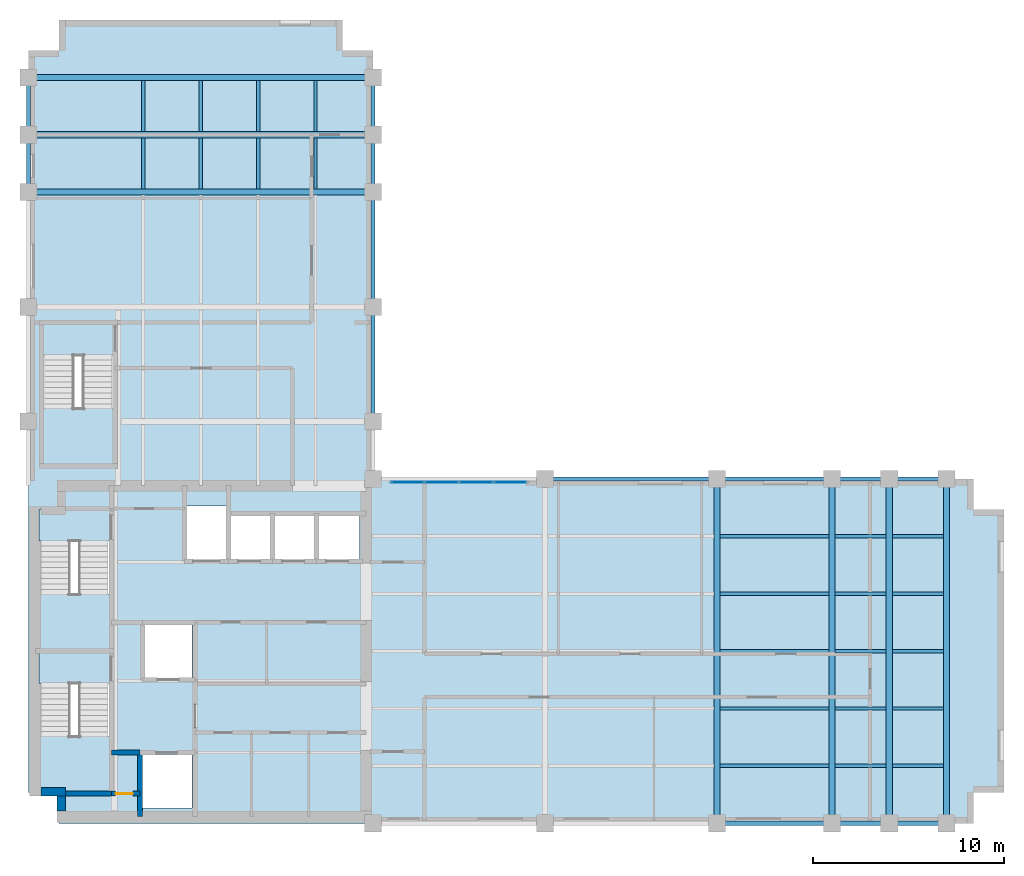
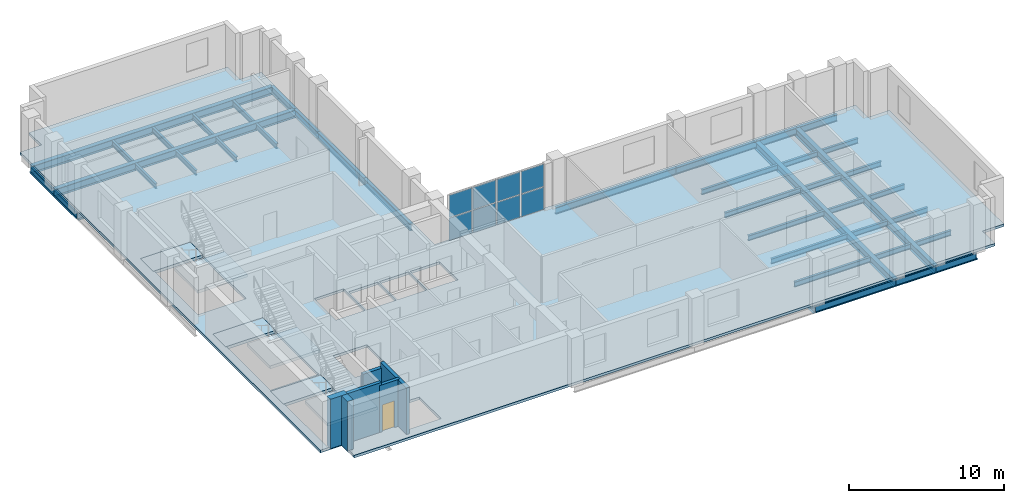
# One storey, part 3 of 7: 43 beams, 8 plates, 7 slabs, 6 walls, 1 door, 1 opening, 4 elements without a shape of their own.
"""IFC4 building model written with IfcOpenShell, lengths in metres."""

from ifc_helpers import new_model, si_unit, direction, frame, frame_2d, origin, origin_2d, place, context, subcontext, project, spatial, polyline, rectangle, i_section, outline, extrude, material, layer, layer_set, material_profile, profile_set, type_object, element, fill, aggregate, save


model = new_model("IFC4")

# Units and contexts
model_context = context("Model", 3, precision=1e-05, world=origin(), true_north=direction((0.0, 1.0)))
body_context = subcontext(model_context, "Body", "Model", "MODEL_VIEW")
ifc_project = project(units=[si_unit("LENGTHUNIT", "METRE"), si_unit("AREAUNIT", "SQUARE_METRE"), si_unit("VOLUMEUNIT", "CUBIC_METRE"), si_unit("PLANEANGLEUNIT", "RADIAN"), si_unit("MASSUNIT", "GRAM", prefix="KILO")], contexts=[model_context])

# Site, building, storey
site_placement = place(None, origin())
site = spatial("IfcSite", under=ifc_project, at=site_placement, CompositionType="ELEMENT")
building_placement = place(site_placement, origin())
building = spatial("IfcBuilding", under=site, at=building_placement, Name="Mawjdan Bourse Tower", CompositionType="ELEMENT")
storey_placement = place(building_placement, frame((0.0, 0.0, 172.199951171875)))
storey = spatial("IfcBuildingStorey", under=building, at=storey_placement, Name="L41", CompositionType="ELEMENT", Elevation=172.199951171875)

# Beams
ifc_material_1 = material(Name="Structural Steel S355", Category="steel")
ifc_material_profile_1 = material_profile(ifc_material_1, i_section(OverallWidth=0.324951171875, OverallDepth=0.616943359375, WebThickness=0.013916015625, FlangeThickness=0.021484375, FilletRadius=0.017333984375, at=origin_2d()), Name="W24X117")
ifc_profile_set_1 = profile_set([ifc_material_profile_1], Name="Structural Steel S355")
beam_type_1 = type_object("IfcBeamType", Name="GRD-W24X117", PredefinedType="BEAM", material=ifc_profile_set_1)
for number, where, z_axis, x_axis, name in (
    (1, (42.0, 3.0, -0.508544921875), (0.0, 1.0, 0.0), (-1.0, 0.0, 0.0), "L41 East Wing Clear-Span Girder 003"),
    (2, (48.0, 3.0, -0.508544921875), (0.0, 1.0, 0.0), (-1.0, 0.0, 0.0), "L41 East Wing Clear-Span Girder 004"),
    (3, (51.0, 3.0, -0.508544921875), (0.0, 1.0, 0.0), (-1.0, 0.0, 0.0), "L41 East Wing Clear-Span Girder 005"),
    (4, (54.0, 3.0, -0.508544921875), (0.0, 1.0, 0.0), (-1.0, 0.0, 0.0), "L41 East Wing Clear-Span Girder 006"),
    (5, (6.0, 36.0, -0.508544921875), (1.0, 0.0, 0.0), (0.0, 1.0, 0.0), "L41 North Wing Clear-Span Girder 049"),
    (6, (6.0, 39.0, -0.508544921875), (1.0, 0.0, 0.0), (0.0, 1.0, 0.0), "L41 North Wing Clear-Span Girder 050"),
    (7, (6.0, 42.0, -0.508544921875), (1.0, 0.0, 0.0), (0.0, 1.0, 0.0), "L41 North Wing Clear-Span Girder 051"),
):
    element("IfcBeam", number, at=place(storey_placement, frame(where, z_axis=z_axis, x_axis=x_axis)), inside=storey, type_object=beam_type_1, Name=name, PredefinedType="BEAM", context=body_context, shape_type="SweptSolid", body=[
        extrude(i_section(OverallWidth=0.324951171875, OverallDepth=0.616943359375, WebThickness=0.013916015625, FlangeThickness=0.021484375, FilletRadius=0.017333984375, at=origin_2d()), origin(), (0.0, 0.0, 1.0), 18.0),
    ])
ifc_material_profile_2 = material_profile(ifc_material_1, i_section(OverallWidth=0.177978515625, OverallDepth=0.406982421875, WebThickness=0.0078125, FlangeThickness=0.0126953125, FilletRadius=0.01025390625, at=origin_2d()), Name="W16X40")
ifc_profile_set_2 = profile_set([ifc_material_profile_2], Name="Structural Steel S355")
beam_type_2 = type_object("IfcBeamType", Name="JST-W16X40", PredefinedType="JOIST", material=ifc_profile_set_2)
beam_1_placement = place(storey_placement, frame((42.160400390625, 6.0, -0.403564453125), z_axis=(1.0, 0.0, 0.0), x_axis=(0.0, 1.0, 0.0)))
element("IfcBeam", 8, at=beam_1_placement, inside=storey, type_object=beam_type_2, Name="L41 East Wing Composite Joist 019", PredefinedType="JOIST", context=body_context, shape_type="SweptSolid", body=[
    extrude(i_section(OverallWidth=0.177978515625, OverallDepth=0.406982421875, WebThickness=0.0078125, FlangeThickness=0.0126953125, FilletRadius=0.01025390625, at=origin_2d()), origin(), (0.0, 0.0, 1.0), 5.67919921875),
])
for number, where, z_axis, x_axis, name in (
    (9, (48.160400390625, 6.0, -0.403564453125), (1.0, 0.0, 0.0), (0.0, 1.0, 0.0), "L41 East Wing Composite Joist 020"),
    (10, (51.160400390625, 6.0, -0.403564453125), (1.0, 0.0, 0.0), (0.0, 1.0, 0.0), "L41 East Wing Composite Joist 021"),
):
    element("IfcBeam", number, at=place(storey_placement, frame(where, z_axis=z_axis, x_axis=x_axis)), inside=storey, type_object=beam_type_2, Name=name, PredefinedType="JOIST", context=body_context, shape_type="SweptSolid", body=[
        extrude(i_section(OverallWidth=0.177978515625, OverallDepth=0.406982421875, WebThickness=0.0078125, FlangeThickness=0.0126953125, FilletRadius=0.01025390625, at=origin_2d()), origin(), (0.0, 0.0, 1.0), 2.67919921875),
    ])
beam_2_placement = place(storey_placement, frame((42.160400390625, 9.0, -0.403564453125), z_axis=(1.0, 0.0, 0.0), x_axis=(0.0, 1.0, 0.0)))
element("IfcBeam", 11, at=beam_2_placement, inside=storey, type_object=beam_type_2, Name="L41 East Wing Composite Joist 024", PredefinedType="JOIST", context=body_context, shape_type="SweptSolid", body=[
    extrude(i_section(OverallWidth=0.177978515625, OverallDepth=0.406982421875, WebThickness=0.0078125, FlangeThickness=0.0126953125, FilletRadius=0.01025390625, at=origin_2d()), origin(), (0.0, 0.0, 1.0), 5.67919921875),
])
for number, where, z_axis, x_axis, name in (
    (12, (48.160400390625, 9.0, -0.403564453125), (1.0, 0.0, 0.0), (0.0, 1.0, 0.0), "L41 East Wing Composite Joist 025"),
    (13, (51.160400390625, 9.0, -0.403564453125), (1.0, 0.0, 0.0), (0.0, 1.0, 0.0), "L41 East Wing Composite Joist 026"),
):
    element("IfcBeam", number, at=place(storey_placement, frame(where, z_axis=z_axis, x_axis=x_axis)), inside=storey, type_object=beam_type_2, Name=name, PredefinedType="JOIST", context=body_context, shape_type="SweptSolid", body=[
        extrude(i_section(OverallWidth=0.177978515625, OverallDepth=0.406982421875, WebThickness=0.0078125, FlangeThickness=0.0126953125, FilletRadius=0.01025390625, at=origin_2d()), origin(), (0.0, 0.0, 1.0), 2.67919921875),
    ])
beam_3_placement = place(storey_placement, frame((42.160400390625, 12.0, -0.403564453125), z_axis=(1.0, 0.0, 0.0), x_axis=(0.0, 1.0, 0.0)))
element("IfcBeam", 14, at=beam_3_placement, inside=storey, type_object=beam_type_2, Name="L41 East Wing Composite Joist 029", PredefinedType="JOIST", context=body_context, shape_type="SweptSolid", body=[
    extrude(i_section(OverallWidth=0.177978515625, OverallDepth=0.406982421875, WebThickness=0.0078125, FlangeThickness=0.0126953125, FilletRadius=0.01025390625, at=origin_2d()), origin(), (0.0, 0.0, 1.0), 5.67919921875),
])
for number, where, z_axis, x_axis, name in (
    (15, (48.160400390625, 12.0, -0.403564453125), (1.0, 0.0, 0.0), (0.0, 1.0, 0.0), "L41 East Wing Composite Joist 030"),
    (16, (51.160400390625, 12.0, -0.403564453125), (1.0, 0.0, 0.0), (0.0, 1.0, 0.0), "L41 East Wing Composite Joist 031"),
):
    element("IfcBeam", number, at=place(storey_placement, frame(where, z_axis=z_axis, x_axis=x_axis)), inside=storey, type_object=beam_type_2, Name=name, PredefinedType="JOIST", context=body_context, shape_type="SweptSolid", body=[
        extrude(i_section(OverallWidth=0.177978515625, OverallDepth=0.406982421875, WebThickness=0.0078125, FlangeThickness=0.0126953125, FilletRadius=0.01025390625, at=origin_2d()), origin(), (0.0, 0.0, 1.0), 2.67919921875),
    ])
beam_4_placement = place(storey_placement, frame((42.160400390625, 15.0, -0.403564453125), z_axis=(1.0, 0.0, 0.0), x_axis=(0.0, 1.0, 0.0)))
element("IfcBeam", 17, at=beam_4_placement, inside=storey, type_object=beam_type_2, Name="L41 East Wing Composite Joist 034", PredefinedType="JOIST", context=body_context, shape_type="SweptSolid", body=[
    extrude(i_section(OverallWidth=0.177978515625, OverallDepth=0.406982421875, WebThickness=0.0078125, FlangeThickness=0.0126953125, FilletRadius=0.01025390625, at=origin_2d()), origin(), (0.0, 0.0, 1.0), 5.67919921875),
])
for number, where, z_axis, x_axis, name in (
    (18, (48.160400390625, 15.0, -0.403564453125), (1.0, 0.0, 0.0), (0.0, 1.0, 0.0), "L41 East Wing Composite Joist 035"),
    (19, (51.160400390625, 15.0, -0.403564453125), (1.0, 0.0, 0.0), (0.0, 1.0, 0.0), "L41 East Wing Composite Joist 036"),
):
    element("IfcBeam", number, at=place(storey_placement, frame(where, z_axis=z_axis, x_axis=x_axis)), inside=storey, type_object=beam_type_2, Name=name, PredefinedType="JOIST", context=body_context, shape_type="SweptSolid", body=[
        extrude(i_section(OverallWidth=0.177978515625, OverallDepth=0.406982421875, WebThickness=0.0078125, FlangeThickness=0.0126953125, FilletRadius=0.01025390625, at=origin_2d()), origin(), (0.0, 0.0, 1.0), 2.67919921875),
    ])
beam_5_placement = place(storey_placement, frame((42.160400390625, 18.0, -0.403564453125), z_axis=(1.0, 0.0, 0.0), x_axis=(0.0, 1.0, 0.0)))
element("IfcBeam", 20, at=beam_5_placement, inside=storey, type_object=beam_type_2, Name="L41 East Wing Composite Joist 039", PredefinedType="JOIST", context=body_context, shape_type="SweptSolid", body=[
    extrude(i_section(OverallWidth=0.177978515625, OverallDepth=0.406982421875, WebThickness=0.0078125, FlangeThickness=0.0126953125, FilletRadius=0.01025390625, at=origin_2d()), origin(), (0.0, 0.0, 1.0), 5.67919921875),
])
for number, where, z_axis, x_axis, name in (
    (21, (48.160400390625, 18.0, -0.403564453125), (1.0, 0.0, 0.0), (0.0, 1.0, 0.0), "L41 East Wing Composite Joist 040"),
    (22, (51.160400390625, 18.0, -0.403564453125), (1.0, 0.0, 0.0), (0.0, 1.0, 0.0), "L41 East Wing Composite Joist 041"),
    (23, (12.0, 36.160400390625, -0.403564453125), (0.0, 1.0, 0.0), (-1.0, 0.0, 0.0), "L41 North Wing Composite Joist 065"),
    (24, (12.0, 39.160400390625, -0.403564453125), (0.0, 1.0, 0.0), (-1.0, 0.0, 0.0), "L41 North Wing Composite Joist 066"),
    (25, (15.0, 36.160400390625, -0.403564453125), (0.0, 1.0, 0.0), (-1.0, 0.0, 0.0), "L41 North Wing Composite Joist 070"),
    (26, (15.0, 39.160400390625, -0.403564453125), (0.0, 1.0, 0.0), (-1.0, 0.0, 0.0), "L41 North Wing Composite Joist 071"),
    (27, (18.0, 36.160400390625, -0.403564453125), (0.0, 1.0, 0.0), (-1.0, 0.0, 0.0), "L41 North Wing Composite Joist 075"),
    (28, (18.0, 39.160400390625, -0.403564453125), (0.0, 1.0, 0.0), (-1.0, 0.0, 0.0), "L41 North Wing Composite Joist 076"),
    (29, (21.0, 36.160400390625, -0.403564453125), (0.0, 1.0, 0.0), (-1.0, 0.0, 0.0), "L41 North Wing Composite Joist 080"),
    (30, (21.0, 39.160400390625, -0.403564453125), (0.0, 1.0, 0.0), (-1.0, 0.0, 0.0), "L41 North Wing Composite Joist 081"),
):
    element("IfcBeam", number, at=place(storey_placement, frame(where, z_axis=z_axis, x_axis=x_axis)), inside=storey, type_object=beam_type_2, Name=name, PredefinedType="JOIST", context=body_context, shape_type="SweptSolid", body=[
        extrude(i_section(OverallWidth=0.177978515625, OverallDepth=0.406982421875, WebThickness=0.0078125, FlangeThickness=0.0126953125, FilletRadius=0.01025390625, at=origin_2d()), origin(), (0.0, 0.0, 1.0), 2.67919921875),
    ])
ifc_material_profile_3 = material_profile(ifc_material_1, i_section(OverallWidth=0.2119140625, OverallDepth=0.5439453125, WebThickness=0.01318359375, FlangeThickness=0.021240234375, FilletRadius=0.01708984375, at=origin_2d()), Name="W21X83")
ifc_profile_set_3 = profile_set([ifc_material_profile_3], Name="Structural Steel S355")
beam_type_3 = type_object("IfcBeamType", Name="SPN-W21X83", PredefinedType="SPANDREL", material=ifc_profile_set_3)
beam_6_placement = place(storey_placement, frame((42.0, 3.0, -0.471923828125), z_axis=(1.0, 0.0, 0.0), x_axis=(0.0, 1.0, 0.0)))
element("IfcBeam", 31, at=beam_6_placement, inside=storey, type_object=beam_type_3, Name="L41 Perimeter Masonry-Shelf Spandrel 009", PredefinedType="SPANDREL", context=body_context, shape_type="SweptSolid", body=[
    extrude(i_section(OverallWidth=0.2119140625, OverallDepth=0.5439453125, WebThickness=0.01318359375, FlangeThickness=0.021240234375, FilletRadius=0.01708984375, at=origin_2d()), origin(), (0.0, 0.0, 1.0), 6.0),
])
for number, where, z_axis, x_axis, name in (
    (32, (48.0, 3.0, -0.471923828125), (1.0, 0.0, 0.0), (0.0, 1.0, 0.0), "L41 Perimeter Masonry-Shelf Spandrel 010"),
    (33, (51.0, 3.0, -0.471923828125), (1.0, 0.0, 0.0), (0.0, 1.0, 0.0), "L41 Perimeter Masonry-Shelf Spandrel 011"),
):
    element("IfcBeam", number, at=place(storey_placement, frame(where, z_axis=z_axis, x_axis=x_axis)), inside=storey, type_object=beam_type_3, Name=name, PredefinedType="SPANDREL", context=body_context, shape_type="SweptSolid", body=[
        extrude(i_section(OverallWidth=0.2119140625, OverallDepth=0.5439453125, WebThickness=0.01318359375, FlangeThickness=0.021240234375, FilletRadius=0.01708984375, at=origin_2d()), origin(), (0.0, 0.0, 1.0), 3.0),
    ])
beam_7_placement = place(storey_placement, frame((33.0, 21.0, -0.471923828125), z_axis=(1.0, 0.0, 0.0), x_axis=(0.0, 1.0, 0.0)))
element("IfcBeam", 34, at=beam_7_placement, inside=storey, type_object=beam_type_3, Name="L41 Perimeter Masonry-Shelf Spandrel 013", PredefinedType="SPANDREL", context=body_context, shape_type="SweptSolid", body=[
    extrude(i_section(OverallWidth=0.2119140625, OverallDepth=0.5439453125, WebThickness=0.01318359375, FlangeThickness=0.021240234375, FilletRadius=0.01708984375, at=origin_2d()), origin(), (0.0, 0.0, 1.0), 9.0),
])
beam_8_placement = place(storey_placement, frame((42.0, 21.0, -0.471923828125), z_axis=(1.0, 0.0, 0.0), x_axis=(0.0, 1.0, 0.0)))
element("IfcBeam", 35, at=beam_8_placement, inside=storey, type_object=beam_type_3, Name="L41 Perimeter Masonry-Shelf Spandrel 014", PredefinedType="SPANDREL", context=body_context, shape_type="SweptSolid", body=[
    extrude(i_section(OverallWidth=0.2119140625, OverallDepth=0.5439453125, WebThickness=0.01318359375, FlangeThickness=0.021240234375, FilletRadius=0.01708984375, at=origin_2d()), origin(), (0.0, 0.0, 1.0), 6.0),
])
for number, where, z_axis, x_axis, name in (
    (36, (48.0, 21.0, -0.471923828125), (1.0, 0.0, 0.0), (0.0, 1.0, 0.0), "L41 Perimeter Masonry-Shelf Spandrel 015"),
    (37, (51.0, 21.0, -0.471923828125), (1.0, 0.0, 0.0), (0.0, 1.0, 0.0), "L41 Perimeter Masonry-Shelf Spandrel 016"),
    (38, (6.0, 36.0, -0.471923828125), (0.0, 1.0, 0.0), (-1.0, 0.0, 0.0), "L41 North Wing Spandrel 055"),
    (39, (6.0, 39.0, -0.471923828125), (0.0, 1.0, 0.0), (-1.0, 0.0, 0.0), "L41 North Wing Spandrel 056"),
):
    element("IfcBeam", number, at=place(storey_placement, frame(where, z_axis=z_axis, x_axis=x_axis)), inside=storey, type_object=beam_type_3, Name=name, PredefinedType="SPANDREL", context=body_context, shape_type="SweptSolid", body=[
        extrude(i_section(OverallWidth=0.2119140625, OverallDepth=0.5439453125, WebThickness=0.01318359375, FlangeThickness=0.021240234375, FilletRadius=0.01708984375, at=origin_2d()), origin(), (0.0, 0.0, 1.0), 3.0),
    ])
for number, where, z_axis, x_axis, name in (
    (40, (24.0, 24.0, -0.471923828125), (0.0, 1.0, 0.0), (-1.0, 0.0, 0.0), "L41 North Wing Spandrel 058"),
    (41, (24.0, 30.0, -0.471923828125), (0.0, 1.0, 0.0), (-1.0, 0.0, 0.0), "L41 North Wing Spandrel 059"),
):
    element("IfcBeam", number, at=place(storey_placement, frame(where, z_axis=z_axis, x_axis=x_axis)), inside=storey, type_object=beam_type_3, Name=name, PredefinedType="SPANDREL", context=body_context, shape_type="SweptSolid", body=[
        extrude(i_section(OverallWidth=0.2119140625, OverallDepth=0.5439453125, WebThickness=0.01318359375, FlangeThickness=0.021240234375, FilletRadius=0.01708984375, at=origin_2d()), origin(), (0.0, 0.0, 1.0), 6.0),
    ])
for number, where, z_axis, x_axis, name in (
    (42, (24.0, 36.0, -0.471923828125), (0.0, 1.0, 0.0), (-1.0, 0.0, 0.0), "L41 North Wing Spandrel 060"),
    (43, (24.0, 39.0, -0.471923828125), (0.0, 1.0, 0.0), (-1.0, 0.0, 0.0), "L41 North Wing Spandrel 061"),
):
    element("IfcBeam", number, at=place(storey_placement, frame(where, z_axis=z_axis, x_axis=x_axis)), inside=storey, type_object=beam_type_3, Name=name, PredefinedType="SPANDREL", context=body_context, shape_type="SweptSolid", body=[
        extrude(i_section(OverallWidth=0.2119140625, OverallDepth=0.5439453125, WebThickness=0.01318359375, FlangeThickness=0.021240234375, FilletRadius=0.01708984375, at=origin_2d()), origin(), (0.0, 0.0, 1.0), 3.0),
    ])

# Curtain wall, plates
ifc_material_2 = material(Name="Thermally Broken Aluminium and Solar Glass", Category="aluminium")
ifc_layer_1 = layer(ifc_material_2, 0.219970703125)
ifc_layer_set_1 = layer_set([ifc_layer_1], Name="Thermally Broken Aluminium and Solar Glass")
curtain_wall_type = type_object("IfcCurtainWallType", Name="CW-ATR", PredefinedType="USERDEFINED", material=ifc_layer_set_1)
curtain_wall_placement = place(storey_placement, origin())
curtain_wall = element("IfcCurtainWall", 44, at=curtain_wall_placement, inside=storey, type_object=curtain_wall_type, Name="L41 Northeast Atrium Court Curtain Wall", ObjectType="ATRIUM GLAZED CURTAIN WALL", PredefinedType="USERDEFINED")
ifc_material_3 = material(Name="Low-SHGC Clear Atrium Glass", Category="glass")
ifc_layer_2 = layer(ifc_material_3, 0.035888671875)
ifc_layer_set_2 = layer_set([ifc_layer_2], Name="Low-SHGC Clear Atrium Glass")
plate_type = type_object("IfcPlateType", Name="PNL-CW-ATR", PredefinedType="CURTAIN_PANEL", material=ifc_layer_set_2)
plate_1_placement = place(storey_placement, frame((31.1826171875, 20.830078125, 0.06005859375), z_axis=(0.0, 0.0, 1.0), x_axis=(-1.0, 0.0, 0.0)))
plate_1 = element("IfcPlate", 45, at=plate_1_placement, type_object=plate_type, Name="CW-ATR-L41-ATR-NE panel 1.1", PredefinedType="CURTAIN_PANEL", context=body_context, shape_type="SweptSolid", body=[
    extrude(rectangle(XDim=1.695068359375, YDim=0.035888671875, at=origin_2d()), origin(), (0.0, 0.0, 1.0), 1.760009765625),
])
plate_2_placement = place(storey_placement, frame((31.1826171875, 20.830078125, 1.8798828125), z_axis=(0.0, 0.0, 1.0), x_axis=(-1.0, 0.0, 0.0)))
plate_2 = element("IfcPlate", 46, at=plate_2_placement, type_object=plate_type, Name="CW-ATR-L41-ATR-NE panel 1.2", PredefinedType="CURTAIN_PANEL", context=body_context, shape_type="SweptSolid", body=[
    extrude(rectangle(XDim=1.695068359375, YDim=0.035888671875, at=origin_2d()), origin(), (0.0, 0.0, 1.0), 1.760009765625),
])
plate_3_placement = place(storey_placement, frame((29.39990234375, 20.830078125, 0.06005859375), z_axis=(0.0, 0.0, 1.0), x_axis=(-1.0, 0.0, 0.0)))
plate_3 = element("IfcPlate", 47, at=plate_3_placement, type_object=plate_type, Name="CW-ATR-L41-ATR-NE panel 2.1", PredefinedType="CURTAIN_PANEL", context=body_context, shape_type="SweptSolid", body=[
    extrude(rectangle(XDim=1.72998046875, YDim=0.035888671875, at=origin_2d()), origin(), (0.0, 0.0, 1.0), 1.760009765625),
])
plate_4_placement = place(storey_placement, frame((29.39990234375, 20.830078125, 1.8798828125), z_axis=(0.0, 0.0, 1.0), x_axis=(-1.0, 0.0, 0.0)))
plate_4 = element("IfcPlate", 48, at=plate_4_placement, type_object=plate_type, Name="CW-ATR-L41-ATR-NE panel 2.2", PredefinedType="CURTAIN_PANEL", context=body_context, shape_type="SweptSolid", body=[
    extrude(rectangle(XDim=1.72998046875, YDim=0.035888671875, at=origin_2d()), origin(), (0.0, 0.0, 1.0), 1.760009765625),
])
plate_5_placement = place(storey_placement, frame((27.60009765625, 20.830078125, 0.06005859375), z_axis=(0.0, 0.0, 1.0), x_axis=(-1.0, 0.0, 0.0)))
plate_5 = element("IfcPlate", 49, at=plate_5_placement, type_object=plate_type, Name="CW-ATR-L41-ATR-NE panel 3.1", PredefinedType="CURTAIN_PANEL", context=body_context, shape_type="SweptSolid", body=[
    extrude(rectangle(XDim=1.72998046875, YDim=0.035888671875, at=origin_2d()), origin(), (0.0, 0.0, 1.0), 1.760009765625),
])
plate_6_placement = place(storey_placement, frame((27.60009765625, 20.830078125, 1.8798828125), z_axis=(0.0, 0.0, 1.0), x_axis=(-1.0, 0.0, 0.0)))
plate_6 = element("IfcPlate", 50, at=plate_6_placement, type_object=plate_type, Name="CW-ATR-L41-ATR-NE panel 3.2", PredefinedType="CURTAIN_PANEL", context=body_context, shape_type="SweptSolid", body=[
    extrude(rectangle(XDim=1.72998046875, YDim=0.035888671875, at=origin_2d()), origin(), (0.0, 0.0, 1.0), 1.760009765625),
])
plate_7_placement = place(storey_placement, frame((25.8173828125, 20.830078125, 0.06005859375), z_axis=(0.0, 0.0, 1.0), x_axis=(-1.0, 0.0, 0.0)))
plate_7 = element("IfcPlate", 51, at=plate_7_placement, type_object=plate_type, Name="CW-ATR-L41-ATR-NE panel 4.1", PredefinedType="CURTAIN_PANEL", context=body_context, shape_type="SweptSolid", body=[
    extrude(rectangle(XDim=1.695068359375, YDim=0.035888671875, at=origin_2d()), origin(), (0.0, 0.0, 1.0), 1.760009765625),
])
plate_8_placement = place(storey_placement, frame((25.8173828125, 20.830078125, 1.8798828125), z_axis=(0.0, 0.0, 1.0), x_axis=(-1.0, 0.0, 0.0)))
plate_8 = element("IfcPlate", 52, at=plate_8_placement, type_object=plate_type, Name="CW-ATR-L41-ATR-NE panel 4.2", PredefinedType="CURTAIN_PANEL", context=body_context, shape_type="SweptSolid", body=[
    extrude(rectangle(XDim=1.695068359375, YDim=0.035888671875, at=origin_2d()), origin(), (0.0, 0.0, 1.0), 1.760009765625),
])
aggregate(curtain_wall, [plate_1, plate_2, plate_3, plate_4, plate_5, plate_6, plate_7, plate_8])

# Stair, slabs
ifc_material_4 = material(Name="Concrete C50/60", Category="concrete")
stair_type = type_object("IfcStairType", Name="STR-CORE-1500", PredefinedType="HALF_TURN_STAIR", material=ifc_material_4)
stair_1_placement = place(storey_placement, origin())
stair_1 = element("IfcStair", 53, at=stair_1_placement, inside=storey, type_object=stair_type, Name="L41 Exit Stair 1 (Core South-West)", PredefinedType="HALF_TURN_STAIR")
ifc_layer_3 = layer(ifc_material_4, 0.22998046875)
ifc_layer_set_3 = layer_set([ifc_layer_3], Name="Concrete C50/60")
slab_type_1 = type_object("IfcSlabType", Name="SL-LND-230", PredefinedType="LANDING", material=ifc_layer_set_3)
slab_1_placement = place(storey_placement, frame((0.0, 0.0, -0.22998046875)))
slab_1 = element("IfcSlab", 54, at=slab_1_placement, type_object=slab_type_1, Name="ST1-L41 landing 1", PredefinedType="LANDING", context=body_context, shape_type="SweptSolid", body=[
    extrude(outline(polyline([(6.5400390625, 10.31005859375), (10.260009765625, 10.31005859375), (10.260009765625, 11.969970703125), (6.5400390625, 11.969970703125), (6.5400390625, 10.31005859375)])), origin(), (0.0, 0.0, 1.0), 0.22998046875),
])
slab_2_placement = place(storey_placement, frame((0.0, 0.0, 1.719970703125)))
slab_2 = element("IfcSlab", 55, at=slab_2_placement, type_object=slab_type_1, Name="ST1-L41 landing 2", PredefinedType="LANDING", context=body_context, shape_type="SweptSolid", body=[
    extrude(outline(polyline([(6.5400390625, 4.590087890625), (10.260009765625, 4.590087890625), (10.260009765625, 7.5400390625), (6.5400390625, 7.5400390625), (6.5400390625, 4.590087890625)])), origin(), (0.0, 0.0, 1.0), 0.22998046875),
])
aggregate(stair_1, [slab_1, slab_2])

stair_2_placement = place(storey_placement, origin())
stair_2 = element("IfcStair", 56, at=stair_2_placement, inside=storey, type_object=stair_type, Name="L41 Exit Stair 2 (Core North-West)", PredefinedType="HALF_TURN_STAIR")
slab_3_placement = place(storey_placement, frame((0.0, 0.0, -0.22998046875)))
slab_3 = element("IfcSlab", 57, at=slab_3_placement, type_object=slab_type_1, Name="ST2-L41 landing 1", PredefinedType="LANDING", context=body_context, shape_type="SweptSolid", body=[
    extrude(outline(polyline([(6.5400390625, 17.75), (10.260009765625, 17.75), (10.260009765625, 19.409912109375), (6.5400390625, 19.409912109375), (6.5400390625, 17.75)])), origin(), (0.0, 0.0, 1.0), 0.22998046875),
])
slab_4_placement = place(storey_placement, frame((0.0, 0.0, 1.719970703125)))
slab_4 = element("IfcSlab", 58, at=slab_4_placement, type_object=slab_type_1, Name="ST2-L41 landing 2", PredefinedType="LANDING", context=body_context, shape_type="SweptSolid", body=[
    extrude(outline(polyline([(6.5400390625, 12.030029296875), (10.260009765625, 12.030029296875), (10.260009765625, 14.97998046875), (6.5400390625, 14.97998046875), (6.5400390625, 12.030029296875)])), origin(), (0.0, 0.0, 1.0), 0.22998046875),
])
aggregate(stair_2, [slab_3, slab_4])

stair_3_placement = place(storey_placement, origin())
stair_3 = element("IfcStair", 59, at=stair_3_placement, inside=storey, type_object=stair_type, Name="L41 Exit Stair 3 (North Wing)", PredefinedType="HALF_TURN_STAIR")
slab_5_placement = place(storey_placement, frame((0.0, 0.0, -0.22998046875)))
slab_5 = element("IfcSlab", 60, at=slab_5_placement, type_object=slab_type_1, Name="ST3-L41 landing 1", PredefinedType="LANDING", context=body_context, shape_type="SweptSolid", body=[
    extrude(outline(polyline([(6.739990234375, 27.4599609375), (10.4599609375, 27.4599609375), (10.4599609375, 29.1201171875), (6.739990234375, 29.1201171875), (6.739990234375, 27.4599609375)])), origin(), (0.0, 0.0, 1.0), 0.22998046875),
])
slab_6_placement = place(storey_placement, frame((0.0, 0.0, 1.719970703125)))
slab_6 = element("IfcSlab", 61, at=slab_6_placement, type_object=slab_type_1, Name="ST3-L41 landing 2", PredefinedType="LANDING", context=body_context, shape_type="SweptSolid", body=[
    extrude(outline(polyline([(6.739990234375, 21.739990234375), (10.4599609375, 21.739990234375), (10.4599609375, 24.68994140625), (6.739990234375, 24.68994140625), (6.739990234375, 21.739990234375)])), origin(), (0.0, 0.0, 1.0), 0.22998046875),
])
aggregate(stair_3, [slab_5, slab_6])

# Slab
ifc_layer_4 = layer(ifc_material_4, 0.199951171875)
ifc_layer_set_4 = layer_set([ifc_layer_4], Name="Concrete C50/60")
slab_type_2 = type_object("IfcSlabType", Name="SL-OFC-200", PredefinedType="FLOOR", material=ifc_layer_set_4)
slab_7_placement = place(storey_placement, frame((0.0, 0.0, -0.199951171875)))
element("IfcSlab", 62, at=slab_7_placement, inside=storey, type_object=slab_type_2, Name="L41 Structural Floor Slab 1", PredefinedType="FLOOR", context=body_context, shape_type="SweptSolid", body=[
    extrude(outline(polyline([(7.60009765625, 3.0), (55.39990234375, 3.0), (55.39990234375, 4.60009765625), (57.0, 4.60009765625), (57.0, 19.39990234375), (55.39990234375, 19.39990234375), (55.39990234375, 21.0), (24.0, 21.0), (24.0, 43.39990234375), (22.39990234375, 43.39990234375), (22.39990234375, 45.0), (7.60009765625, 45.0), (7.60009765625, 43.39990234375), (6.0, 43.39990234375), (6.0, 4.60009765625), (7.60009765625, 4.60009765625), (7.60009765625, 3.0)]), holes=[polyline([(6.5400390625, 11.969970703125), (10.260009765625, 11.969970703125), (10.260009765625, 10.31005859375), (10.199951171875, 10.31005859375), (10.199951171875, 4.64990234375), (6.60009765625, 4.64990234375), (6.60009765625, 10.31005859375), (6.5400390625, 10.31005859375), (6.5400390625, 11.969970703125)]), polyline([(6.60009765625, 12.090087890625), (6.60009765625, 17.75), (6.5400390625, 17.75), (6.5400390625, 19.409912109375), (10.260009765625, 19.409912109375), (10.260009765625, 17.75), (10.199951171875, 17.75), (10.199951171875, 12.090087890625), (6.60009765625, 12.090087890625)]), polyline([(10.4599609375, 29.1201171875), (10.4599609375, 27.4599609375), (10.39990234375, 27.4599609375), (10.39990234375, 21.800048828125), (6.800048828125, 21.800048828125), (6.800048828125, 27.4599609375), (6.739990234375, 27.4599609375), (6.739990234375, 29.1201171875), (10.4599609375, 29.1201171875)]), polyline([(14.550048828125, 3.800048828125), (11.949951171875, 3.800048828125), (11.949951171875, 6.60009765625), (14.550048828125, 6.60009765625), (14.550048828125, 3.800048828125)]), polyline([(12.050048828125, 10.60009765625), (12.050048828125, 13.39990234375), (14.550048828125, 13.39990234375), (14.550048828125, 10.60009765625), (12.050048828125, 10.60009765625)]), polyline([(16.5, 16.800048828125), (16.5, 19.14990234375), (18.699951171875, 19.14990234375), (18.699951171875, 16.800048828125), (16.5, 16.800048828125)]), polyline([(21.0, 16.800048828125), (18.800048828125, 16.800048828125), (18.800048828125, 19.14990234375), (21.0, 19.14990234375), (21.0, 16.800048828125)]), polyline([(21.10009765625, 16.800048828125), (21.10009765625, 19.14990234375), (23.300048828125, 19.14990234375), (23.300048828125, 16.800048828125), (21.10009765625, 16.800048828125)]), polyline([(14.199951171875, 16.800048828125), (14.199951171875, 19.60009765625), (16.39990234375, 19.60009765625), (16.39990234375, 16.800048828125), (14.199951171875, 16.800048828125)])]), origin(), (0.0, 0.0, 1.0), 0.199951171875),
])

# Walls
ifc_material_5 = material(Name="Concrete C60/75", Category="concrete")
ifc_layer_5 = layer(ifc_material_5, 0.449951171875)
ifc_layer_set_5 = layer_set([ifc_layer_5], Name="Concrete C60/75")
wall_type_1 = type_object("IfcWallType", Name="WL-CORE-450", PredefinedType="SHEAR", material=ifc_layer_set_5)
wall_1_placement = place(storey_placement, frame((6.64990234375, 4.64990234375, 0.0), z_axis=(0.0, 0.0, 1.0), x_axis=(1.0, 0.0, 0.0)))
element("IfcWall", 63, at=wall_1_placement, inside=storey, type_object=wall_type_1, Name="L41 Rear Core Shear Wall SW-X", PredefinedType="SHEAR", context=body_context, shape_type="SweptSolid", body=[
    extrude(rectangle(XDim=1.275146484375, YDim=0.449951171875, at=frame_2d((0.6376953125, 0.0))), origin(), (0.0, 0.0, 1.0), 3.900146484375),
])
wall_2_placement = place(storey_placement, frame((7.699951171875, 3.64990234375, 0.0), z_axis=(0.0, 0.0, 1.0), x_axis=(0.0, 1.0, 0.0)))
element("IfcWall", 64, at=wall_2_placement, inside=storey, type_object=wall_type_1, Name="L41 Rear Core Shear Wall SW-Y", PredefinedType="SHEAR", context=body_context, shape_type="SweptSolid", body=[
    extrude(rectangle(XDim=0.775146484375, YDim=0.449951171875, at=frame_2d((0.3876953125, 0.0))), origin(), (0.0, 0.0, 1.0), 3.900146484375),
])

# Wall, opening, door
ifc_layer_6 = layer(ifc_material_4, 0.25)
ifc_layer_set_6 = layer_set([ifc_layer_6], Name="Concrete C50/60")
wall_type_2 = type_object("IfcWallType", Name="WL-SHFT-250", PredefinedType="PARTITIONING", material=ifc_layer_set_6)
wall_3_placement = place(storey_placement, frame((10.330078125, 4.550048828125, 0.0), z_axis=(0.0, 0.0, 1.0), x_axis=(1.0, 0.0, 0.0)))
wall_3 = element("IfcWall", 65, at=wall_3_placement, inside=storey, type_object=wall_type_2, Name="L41 SW Riser North Wall", PredefinedType="PARTITIONING", context=body_context, shape_type="SweptSolid", body=[
    extrude(rectangle(XDim=1.489990234375, YDim=0.25, at=frame_2d((0.7451171875, 0.0))), origin(), (0.0, 0.0, 1.0), 3.68994140625),
])
opening_placement = place(wall_3_placement, frame((0.219970703125, 0.0, 0.0)))
opening = element("IfcOpeningElement", 66, at=opening_placement, cuts=wall_3, Name="Opening RD-L41-03", PredefinedType="OPENING", context=body_context, shape_type="SweptSolid", body=[
    extrude(rectangle(XDim=0.89990234375, YDim=2.10009765625, at=frame_2d((0.449951171875, 1.050048828125))), frame((0.0, 0.135009765625, 0.0), z_axis=(0.0, -1.0, 0.0), x_axis=(1.0, 0.0, 0.0)), (0.0, 0.0, 1.0), 0.27001953125),
])
ifc_material_6 = material(Name="Fire-Rated Steel Access Leaf", Category="steel")
door_type = type_object("IfcDoorType", Name="FD-RSR-0900", OperationType="NOTDEFINED", PredefinedType="TRAPDOOR", material=ifc_material_6)
door_placement = place(opening_placement, origin())
door = element("IfcDoor", 67, at=door_placement, inside=storey, type_object=door_type, Name="L41 Electrical Riser Access Door RD-L41-03", OperationType="SINGLE_SWING_RIGHT", OverallHeight=2.10009765625, OverallWidth=0.89990234375, PredefinedType="TRAPDOOR", context=body_context, shape_type="SweptSolid", body=[
    extrude(rectangle(XDim=0.89990234375, YDim=2.10009765625, at=frame_2d((0.449951171875, 1.050048828125))), frame((0.0, 0.02490234375, 0.0), z_axis=(0.0, -1.0, 0.0), x_axis=(1.0, 0.0, 0.0)), (0.0, 0.0, 1.0), 0.050048828125),
])
fill(opening, door)

# Walls
wall_4_placement = place(storey_placement, frame((11.820068359375, 3.35009765625, 0.0), z_axis=(0.0, 0.0, 1.0), x_axis=(0.0, 1.0, 0.0)))
element("IfcWall", 68, at=wall_4_placement, inside=storey, type_object=wall_type_2, Name="L41 SW Riser & FFL01 West Wall", PredefinedType="PARTITIONING", context=body_context, shape_type="SweptSolid", body=[
    extrude(rectangle(XDim=3.349853515625, YDim=0.25, at=frame_2d((1.6748046875, 0.0))), origin(), (0.0, 0.0, 1.0), 3.68994140625),
])
wall_5_placement = place(storey_placement, frame((10.330078125, 6.699951171875, 0.0), z_axis=(0.0, 0.0, 1.0), x_axis=(1.0, 0.0, 0.0)))
element("IfcWall", 69, at=wall_5_placement, inside=storey, type_object=wall_type_2, Name="L41 Firefighting Lobby South Closure Wall", PredefinedType="PARTITIONING", context=body_context, shape_type="SweptSolid", body=[
    extrude(rectangle(XDim=1.489990234375, YDim=0.25, at=frame_2d((0.7451171875, 0.0))), origin(), (0.0, 0.0, 1.0), 3.282958984375),
])
ifc_layer_7 = layer(ifc_material_4, 0.25)
ifc_layer_set_7 = layer_set([ifc_layer_7], Name="Concrete C50/60")
wall_type_3 = type_object("IfcWallType", Name="WL-STRW-250", PredefinedType="SHEAR", material=ifc_layer_set_7)
wall_6_placement = place(storey_placement, frame((7.699951171875, 4.550048828125, 0.0), z_axis=(0.0, 0.0, 1.0), x_axis=(1.0, 0.0, 0.0)))
element("IfcWall", 70, at=wall_6_placement, inside=storey, type_object=wall_type_3, Name="L41 Stairwell ST1 South Shaft Wall", PredefinedType="SHEAR", context=body_context, shape_type="SweptSolid", body=[
    extrude(rectangle(XDim=2.755126953125, YDim=0.25, at=frame_2d((1.37744140625, 0.0))), origin(), (0.0, 0.0, 1.0), 3.900146484375),
])

save(model, "model.ifc")
